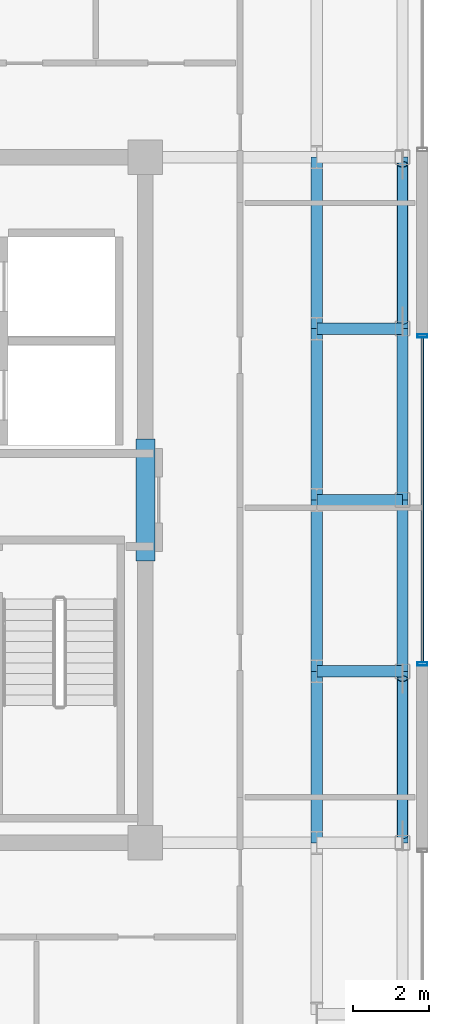
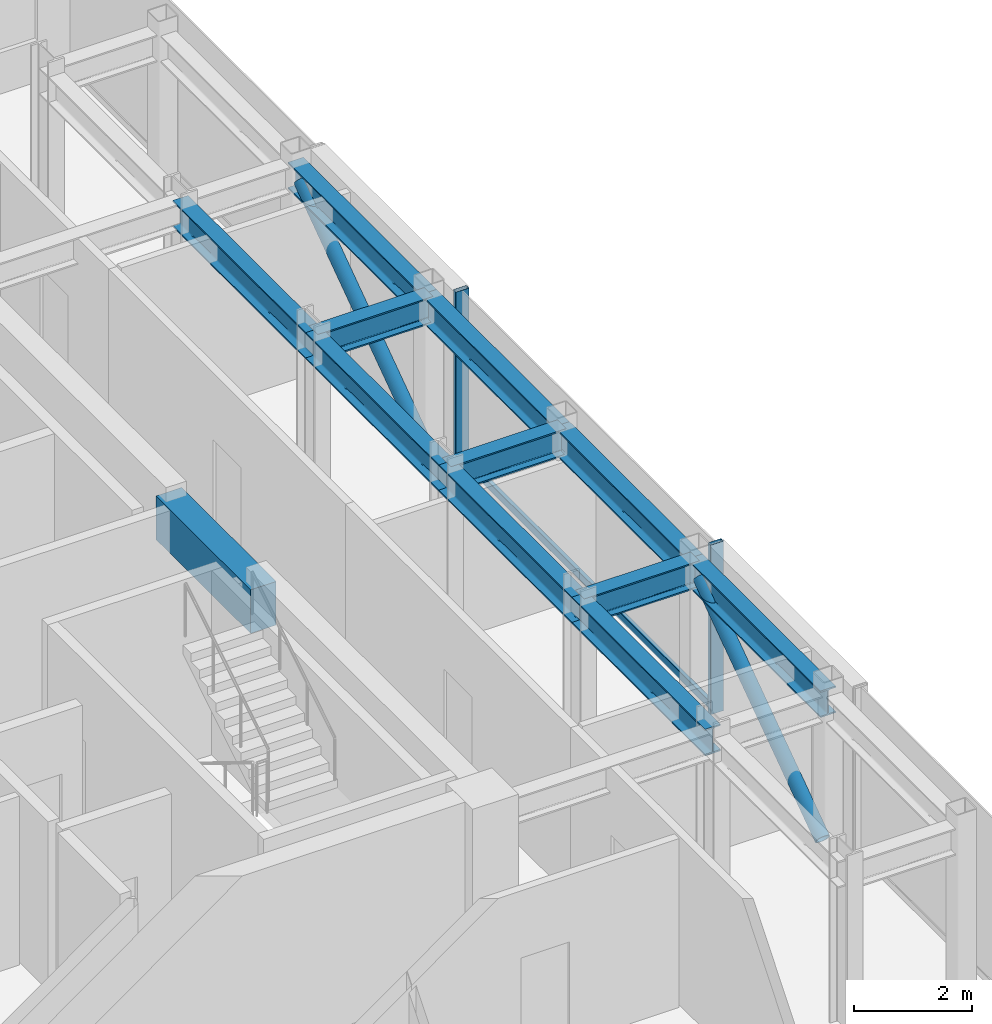
# One storey, part 6 of 16: 12 beams, 5 members, 1 element without a shape of its own.
"""IFC4 building model written with IfcOpenShell, lengths in metres."""

from ifc_helpers import new_model, si_unit, direction, frame, origin, origin_2d, place, context, subcontext, project, spatial, rectangle, hollow_rectangle, hollow_circle, i_section, extrude, source, transform, mapped, material, layer, layer_set, material_profile, profile_set, type_object, element, aggregate, save


model = new_model("IFC4")

# Units and contexts
model_context = context("Model", 3, precision=1e-05, world=origin(), true_north=direction((0.0, 1.0)))
body_context = subcontext(model_context, "Body", "Model", "MODEL_VIEW")
ifc_project = project(units=[si_unit("LENGTHUNIT", "METRE"), si_unit("AREAUNIT", "SQUARE_METRE"), si_unit("VOLUMEUNIT", "CUBIC_METRE"), si_unit("PLANEANGLEUNIT", "RADIAN"), si_unit("MASSUNIT", "GRAM", prefix="KILO")], contexts=[model_context])

# Site, building, storey
site_placement = place(None, origin())
site = spatial("IfcSite", under=ifc_project, at=site_placement, CompositionType="ELEMENT")
building_placement = place(site_placement, origin())
building = spatial("IfcBuilding", under=site, at=building_placement, Name="Nefas-Gora Pilgrimage Tower", CompositionType="ELEMENT")
storey_placement = place(building_placement, frame((0.0, 0.0, 345.199951171875)))
storey = spatial("IfcBuildingStorey", under=building, at=storey_placement, Name="L87", CompositionType="ELEMENT", Elevation=345.199951171875)

# Beams
ifc_material_1 = material(Name="Concrete C50/60", Category="concrete")
ifc_material_profile_1 = material_profile(ifc_material_1, rectangle(XDim=0.5, YDim=0.89990234375, at=origin_2d()), Name="RC 500x900")
ifc_profile_set_1 = profile_set([ifc_material_profile_1], Name="Concrete C50/60")
beam_type_1 = type_object("IfcBeamType", Name="BM-LIN-RC900", PredefinedType="LINTEL", material=ifc_profile_set_1)
shared_shape_1 = source(origin(), body_context, "Body", "SweptSolid", [
    extrude(rectangle(XDim=0.5, YDim=0.89990234375, at=origin_2d()), origin(), (0.0, 0.0, 1.0), 3.2001953125),
])
beam_placement = place(storey_placement, frame((11.25, -1.60009765625, 3.050048828125), z_axis=(0.0, 1.0, 0.0), x_axis=(-1.0, 0.0, 0.0)))
element("IfcBeam", 1, at=beam_placement, inside=storey, type_object=beam_type_1, Name="L87 Core Coupling Lintel Beam E", PredefinedType="LINTEL", context=body_context, shape_type="MappedRepresentation", body=[
    mapped(shared_shape_1, transform((0.0, 0.0, 0.0), x_axis=(1.0, 0.0, 0.0), y_axis=(0.0, 1.0, 0.0), z_axis=(0.0, 0.0, 1.0), scale=1.0)),
])
ifc_material_2 = material(Name="Steel S355", Category="steel")
ifc_material_profile_2 = material_profile(ifc_material_2, i_section(OverallWidth=0.300048828125, OverallDepth=0.550048828125, WebThickness=0.014892578125, FlangeThickness=0.029052734375, FilletRadius=0.027099609375, at=origin_2d()), Name="HEB 550")
ifc_profile_set_2 = profile_set([ifc_material_profile_2], Name="Steel S355")
beam_type_2 = type_object("IfcBeamType", Name="BM-SPN-HEB400", PredefinedType="SPANDREL", material=ifc_profile_set_2)
shared_shape_2 = source(origin(), body_context, "Body", "SweptSolid", [
    extrude(i_section(OverallWidth=0.300048828125, OverallDepth=0.550048828125, WebThickness=0.014892578125, FlangeThickness=0.029052734375, FilletRadius=0.027099609375, at=origin_2d()), origin(), (0.0, 0.0, 1.0), 4.5),
])
for number, where, z_axis, x_axis, name in (
    (2, (18.0, -9.0, 3.22509765625), (0.0, 1.0, 0.0), (-1.0, 0.0, 0.0), "L87 SP-04 beam"),
    (3, (18.0, -4.5, 3.22509765625), (0.0, 1.0, 0.0), (-1.0, 0.0, 0.0), "L87 SP-04 beam"),
    (4, (18.0, 0.0, 3.22509765625), (0.0, 1.0, 0.0), (-1.0, 0.0, 0.0), "L87 SP-04 beam"),
    (5, (18.0, 4.5, 3.22509765625), (0.0, 1.0, 0.0), (-1.0, 0.0, 0.0), "L87 SP-04 beam"),
):
    element("IfcBeam", number, at=place(storey_placement, frame(where, z_axis=z_axis, x_axis=x_axis)), inside=storey, type_object=beam_type_2, Name=name, PredefinedType="SPANDREL", context=body_context, shape_type="MappedRepresentation", body=[
        mapped(shared_shape_2, transform((0.0, 0.0, 0.0), x_axis=(1.0, 0.0, 0.0), y_axis=(0.0, 1.0, 0.0), z_axis=(0.0, 0.0, 1.0), scale=1.0)),
    ])
ifc_material_profile_3 = material_profile(ifc_material_2, i_section(OverallWidth=0.300048828125, OverallDepth=0.550048828125, WebThickness=0.014892578125, FlangeThickness=0.029052734375, FilletRadius=0.027099609375, at=origin_2d()), Name="HEB 550")
ifc_profile_set_3 = profile_set([ifc_material_profile_3], Name="Steel S355")
beam_type_3 = type_object("IfcBeamType", Name="BM-GIR-HEB550", PredefinedType="BEAM", material=ifc_profile_set_3)
shared_shape_3 = source(origin(), body_context, "Body", "SweptSolid", [
    extrude(i_section(OverallWidth=0.300048828125, OverallDepth=0.550048828125, WebThickness=0.014892578125, FlangeThickness=0.029052734375, FilletRadius=0.027099609375, at=origin_2d()), origin(), (0.0, 0.0, 1.0), 4.5),
])
for number, where, z_axis, x_axis, name in (
    (6, (15.75, -9.0, 3.22509765625), (0.0, 1.0, 0.0), (-1.0, 0.0, 0.0), "L87 G-05 beam"),
    (7, (15.75, -4.5, 3.22509765625), (0.0, 1.0, 0.0), (-1.0, 0.0, 0.0), "L87 G-05 beam"),
    (8, (15.75, 0.0, 3.22509765625), (0.0, 1.0, 0.0), (-1.0, 0.0, 0.0), "L87 G-05 beam"),
    (9, (15.75, 4.5, 3.22509765625), (0.0, 1.0, 0.0), (-1.0, 0.0, 0.0), "L87 G-05 beam"),
):
    element("IfcBeam", number, at=place(storey_placement, frame(where, z_axis=z_axis, x_axis=x_axis)), inside=storey, type_object=beam_type_3, Name=name, PredefinedType="BEAM", context=body_context, shape_type="MappedRepresentation", body=[
        mapped(shared_shape_3, transform((0.0, 0.0, 0.0), x_axis=(1.0, 0.0, 0.0), y_axis=(0.0, 1.0, 0.0), z_axis=(0.0, 0.0, 1.0), scale=1.0)),
    ])
shared_shape_4 = source(origin(), body_context, "Body", "SweptSolid", [
    extrude(i_section(OverallWidth=0.300048828125, OverallDepth=0.550048828125, WebThickness=0.014892578125, FlangeThickness=0.029052734375, FilletRadius=0.027099609375, at=origin_2d()), origin(), (0.0, 0.0, 1.0), 2.25),
])
for number, where, z_axis, x_axis, name in (
    (10, (15.75, -4.5, 3.22509765625), (1.0, 0.0, 0.0), (0.0, 1.0, 0.0), "L87 G-05 beam"),
    (11, (15.75, 0.0, 3.22509765625), (1.0, 0.0, 0.0), (0.0, 1.0, 0.0), "L87 G-05 beam"),
    (12, (15.75, 4.5, 3.22509765625), (1.0, 0.0, 0.0), (0.0, 1.0, 0.0), "L87 G-05 beam"),
):
    element("IfcBeam", number, at=place(storey_placement, frame(where, z_axis=z_axis, x_axis=x_axis)), inside=storey, type_object=beam_type_3, Name=name, PredefinedType="BEAM", context=body_context, shape_type="MappedRepresentation", body=[
        mapped(shared_shape_4, transform((0.0, 0.0, 0.0), x_axis=(1.0, 0.0, 0.0), y_axis=(0.0, 1.0, 0.0), z_axis=(0.0, 0.0, 1.0), scale=1.0)),
    ])

# Members
ifc_material_profile_4 = material_profile(ifc_material_2, hollow_circle(Radius=0.136474609375, WallThickness=0.01611328125, at=origin_2d()), Name="CHS 273x16")
ifc_profile_set_4 = profile_set([ifc_material_profile_4], Name="Steel S355")
member_type_1 = type_object("IfcMemberType", Name="MEM-TUBE-273", PredefinedType="BRACE", material=ifc_profile_set_4)
shared_shape_5 = source(origin(), body_context, "Body", "SweptSolid", [
    extrude(hollow_circle(Radius=0.136474609375, WallThickness=0.01611328125, at=origin_2d()), origin(), (0.0, 0.0, 1.0), 5.044677734375),
])
for number, where, z_axis, x_axis, name in (
    (13, (18.0, -8.81201171875, 0.282470703125), (0.0, 0.817509361732, 0.575915309295), (-1.0, 0.0, 0.0), "L87 Perimeter Tube Diagonal Brace E1"),
    (14, (18.0, 4.68798828125, 0.282470703125), (0.0, 0.817509361732, 0.575915309295), (-1.0, 0.0, 0.0), "L87 Perimeter Tube Diagonal Brace E2"),
):
    element("IfcMember", number, at=place(storey_placement, frame(where, z_axis=z_axis, x_axis=x_axis)), inside=storey, type_object=member_type_1, Name=name, PredefinedType="BRACE", context=body_context, shape_type="MappedRepresentation", body=[
        mapped(shared_shape_5, transform((0.0, 0.0, 0.0), x_axis=(1.0, 0.0, 0.0), y_axis=(0.0, 1.0, 0.0), z_axis=(0.0, 0.0, 1.0), scale=1.0)),
    ])

# Curtain wall, members
ifc_material_3 = material(Name="Dark ceramic-fritted solar-control aluminium-glass curtain wall", Category="aluminium")
ifc_layer = layer(ifc_material_3, 0.219970703125)
ifc_layer_set = layer_set([ifc_layer], Name="Dark ceramic-fritted solar-control aluminium-glass curtain wall")
curtain_wall_type = type_object("IfcCurtainWallType", Name="CW-SYS-4", PredefinedType="NOTDEFINED", material=ifc_layer_set)
curtain_wall_placement = place(storey_placement, origin())
curtain_wall = element("IfcCurtainWall", 15, at=curtain_wall_placement, inside=storey, type_object=curtain_wall_type, Name="L87 Unitised Curtain Wall CW4", PredefinedType="NOTDEFINED")
ifc_material_4 = material(Name="Anodised architectural aluminium", Category="aluminium")
ifc_material_profile_5 = material_profile(ifc_material_4, hollow_rectangle(XDim=0.080078125, YDim=0.159912109375, WallThickness=0.00439453125, InnerFilletRadius=0.00439453125, OuterFilletRadius=0.009033203125, at=origin_2d()), Name="ALU TRANSOM 80x160")
ifc_profile_set_5 = profile_set([ifc_material_profile_5], Name="Anodised architectural aluminium")
member_type_2 = type_object("IfcMemberType", Name="CWM-TRN-4", PredefinedType="USERDEFINED", material=ifc_profile_set_5)
shared_shape_6 = source(origin(), body_context, "Body", "SweptSolid", [
    extrude(hollow_rectangle(XDim=0.080078125, YDim=0.159912109375, WallThickness=0.00439453125, InnerFilletRadius=0.00439453125, OuterFilletRadius=0.009033203125, at=origin_2d()), origin(), (0.0, 0.0, 1.0), 8.52001953125),
])
member_1_placement = place(storey_placement, frame((18.52001953125, -4.260009765625, 0.050048828125), z_axis=(0.0, 1.0, 0.0), x_axis=(-1.0, 0.0, 0.0)))
member_1 = element("IfcMember", 16, at=member_1_placement, type_object=member_type_2, Name="CW4 Spandrel Transom", ObjectType="TRANSOM", PredefinedType="USERDEFINED", context=body_context, shape_type="MappedRepresentation", body=[
    mapped(shared_shape_6, transform((0.0, 0.0, 0.0), x_axis=(1.0, 0.0, 0.0), y_axis=(0.0, 1.0, 0.0), z_axis=(0.0, 0.0, 1.0), scale=1.0)),
])
ifc_material_profile_6 = material_profile(ifc_material_4, hollow_rectangle(XDim=0.090087890625, YDim=0.260009765625, WallThickness=0.006103515625, InnerFilletRadius=0.006103515625, OuterFilletRadius=0.011962890625, at=origin_2d()), Name="ALU MULLION 90x260")
ifc_profile_set_6 = profile_set([ifc_material_profile_6], Name="Anodised architectural aluminium")
member_type_3 = type_object("IfcMemberType", Name="CWM-MUL-4", PredefinedType="MULLION", material=ifc_profile_set_6)
shared_shape_7 = source(origin(), body_context, "Body", "SweptSolid", [
    extrude(hollow_rectangle(XDim=0.090087890625, YDim=0.260009765625, WallThickness=0.006103515625, InnerFilletRadius=0.006103515625, OuterFilletRadius=0.011962890625, at=origin_2d()), origin(), (0.0, 0.0, 1.0), 3.5),
])
member_2_placement = place(storey_placement, frame((18.52001953125, -4.304931640625, 0.0), z_axis=(0.0, 0.0, 1.0), x_axis=(0.0, 1.0, 0.0)))
member_2 = element("IfcMember", 17, at=member_2_placement, type_object=member_type_3, Name="CW4 Mullion 1", PredefinedType="MULLION", context=body_context, shape_type="MappedRepresentation", body=[
    mapped(shared_shape_7, transform((0.0, 0.0, 0.0), x_axis=(1.0, 0.0, 0.0), y_axis=(0.0, 1.0, 0.0), z_axis=(0.0, 0.0, 1.0), scale=1.0)),
])
member_3_placement = place(storey_placement, frame((18.52001953125, 4.304931640625, 0.0), z_axis=(0.0, 0.0, 1.0), x_axis=(0.0, 1.0, 0.0)))
member_3 = element("IfcMember", 18, at=member_3_placement, type_object=member_type_3, Name="CW4 Mullion 2", PredefinedType="MULLION", context=body_context, shape_type="MappedRepresentation", body=[
    mapped(shared_shape_7, transform((0.0, 0.0, 0.0), x_axis=(1.0, 0.0, 0.0), y_axis=(0.0, 1.0, 0.0), z_axis=(0.0, 0.0, 1.0), scale=1.0)),
])
aggregate(curtain_wall, [member_2, member_3, member_1])

save(model, "model.ifc")
